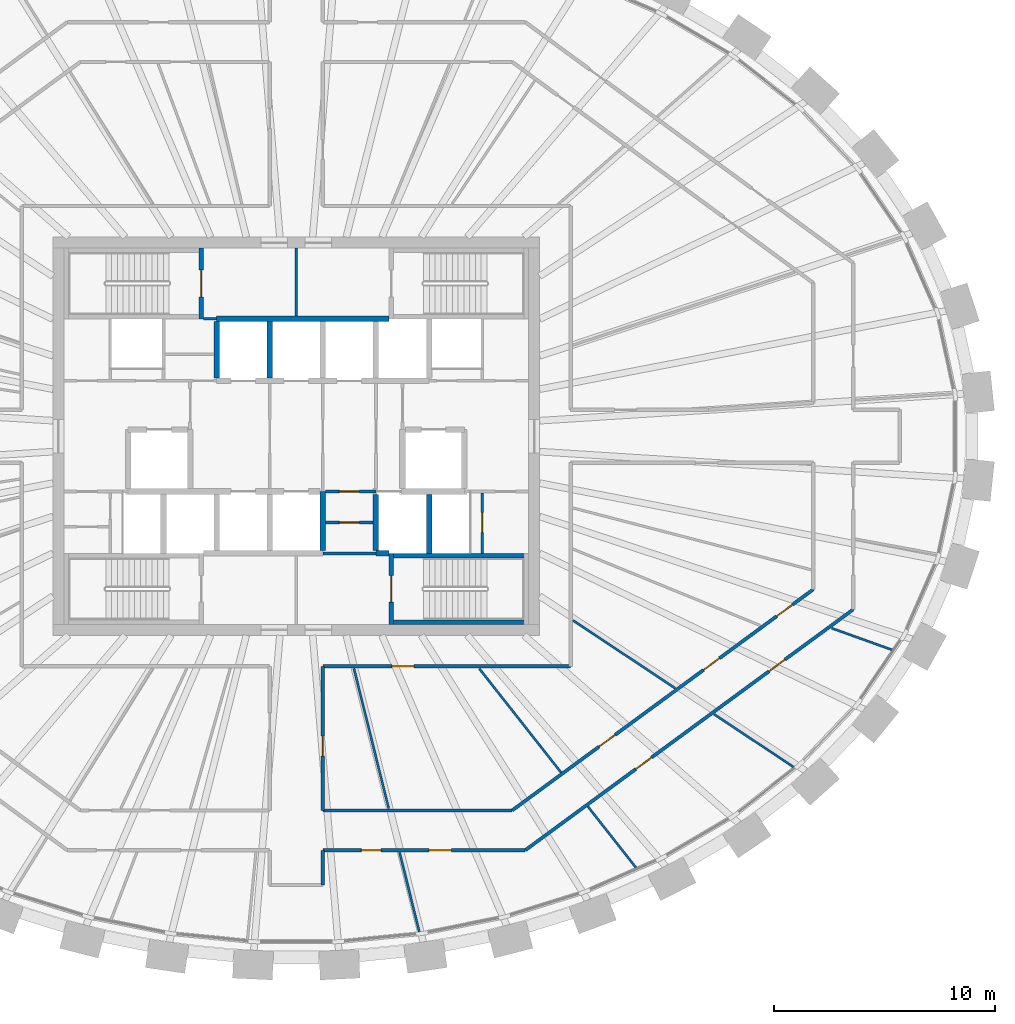
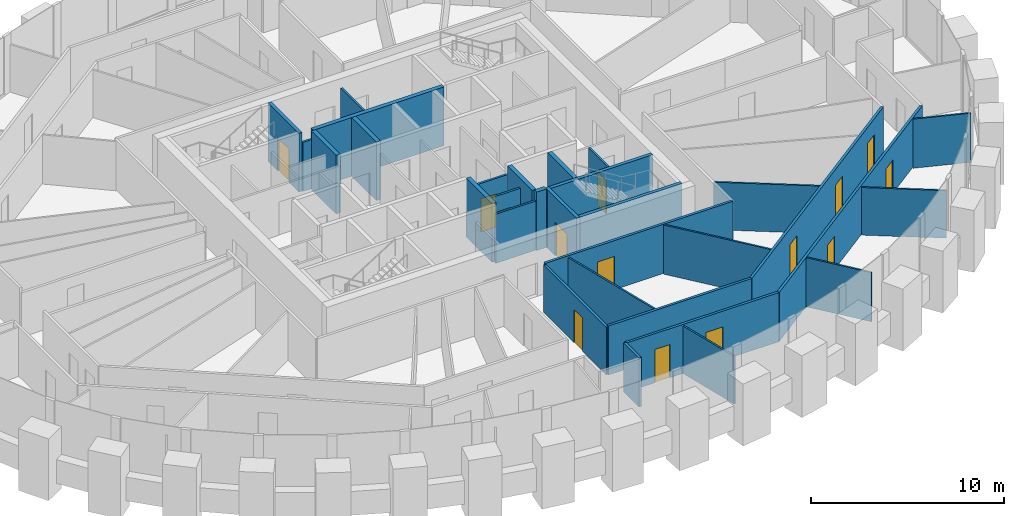
# One storey, part 8 of 12: 31 walls, 14 doors, 14 openings.
"""IFC4 building model written with IfcOpenShell, lengths in metres."""

from ifc_helpers import new_model, si_unit, direction, frame, frame_2d, origin, place, context, subcontext, project, spatial, rectangle, extrude, source, transform, mapped, material, layer, layer_set, type_object, element, fill, save


model = new_model("IFC4")

# Units and contexts
model_context = context("Model", 3, precision=1e-05, world=origin(), true_north=direction((0.0, 1.0)))
body_context = subcontext(model_context, "Body", "Model", "MODEL_VIEW")
ifc_project = project(units=[si_unit("LENGTHUNIT", "METRE"), si_unit("AREAUNIT", "SQUARE_METRE"), si_unit("VOLUMEUNIT", "CUBIC_METRE"), si_unit("PLANEANGLEUNIT", "RADIAN"), si_unit("MASSUNIT", "GRAM", prefix="KILO")], contexts=[model_context])

# Site, building, storey
site_placement = place(None, origin())
site = spatial("IfcSite", under=ifc_project, at=site_placement, CompositionType="ELEMENT")
building_placement = place(site_placement, origin())
building = spatial("IfcBuilding", under=site, at=building_placement, Name="Embergate Tower", CompositionType="ELEMENT")
storey_placement = place(building_placement, frame((0.0, 0.0, 293.5)))
storey = spatial("IfcBuildingStorey", under=building, at=storey_placement, Name="L68", CompositionType="ELEMENT", Elevation=293.5)

# Walls
ifc_material_1 = material(Name="Concrete C50", Category="concrete")
ifc_layer_1 = layer(ifc_material_1, 0.25)
ifc_layer_set_1 = layer_set([ifc_layer_1], Name="Concrete C50")
wall_type_1 = type_object("IfcWallType", Name="Hoistway wall reinforced concrete 250", PredefinedType="SHEAR", material=ifc_layer_set_1)
shared_shape_1 = source(origin(), body_context, "Body", "SweptSolid", [
    extrude(rectangle(XDim=2.675048828125, YDim=0.25, at=frame_2d((1.33740234375, 0.0))), origin(), (0.0, 0.0, 1.0), 3.699951171875),
])
for number, where, z_axis, x_axis, name in (
    (1, (1.199951171875, -5.175048828125, 0.0), (0.0, 0.0, 1.0), (0.0, 1.0, 0.0), "HW-1 wall"),
    (2, (6.0, -5.300048828125, 0.0), (0.0, 0.0, 1.0), (0.0, 1.0, 0.0), "HW-1 wall"),
):
    element("IfcWall", number, at=place(storey_placement, frame(where, z_axis=z_axis, x_axis=x_axis)), inside=storey, type_object=wall_type_1, Name=name, PredefinedType="SHEAR", context=body_context, shape_type="MappedRepresentation", body=[
        mapped(shared_shape_1, transform((0.0, 0.0, 0.0))),
    ])
ifc_layer_2 = layer(ifc_material_1, 0.199951171875)
ifc_layer_set_2 = layer_set([ifc_layer_2], Name="Concrete C50")
wall_type_2 = type_object("IfcWallType", Name="Stair enclosure wall reinforced concrete 250", PredefinedType="SHEAR", material=ifc_layer_set_2)
shared_shape_2 = source(origin(), body_context, "Body", "SweptSolid", [
    extrude(rectangle(XDim=6.300048828125, YDim=0.199951171875, at=frame_2d((3.14990234375, 0.0))), origin(), (0.0, 0.0, 1.0), 3.699951171875),
])
wall_1_placement = place(storey_placement, frame((4.199951171875, -5.39990234375, 0.0), z_axis=(0.0, 0.0, 1.0), x_axis=(1.0, 0.0, 0.0)))
element("IfcWall", 3, at=wall_1_placement, inside=storey, type_object=wall_type_2, Name="SE-1 wall", PredefinedType="SHEAR", context=body_context, shape_type="MappedRepresentation", body=[
    mapped(shared_shape_2, transform((0.0, 0.0, 0.0))),
])

# Wall, opening, door
ifc_material_2 = material(Name="Core partition blockwork 120")
ifc_layer_3 = layer(ifc_material_2, 0.1201171875)
ifc_layer_set_3 = layer_set([ifc_layer_3], Name="Core partition blockwork 120")
wall_type_3 = type_object("IfcWallType", Name="Core partition blockwork 120", PredefinedType="PARTITIONING", material=ifc_layer_set_3)
shared_shape_3 = source(origin(), body_context, "Body", "SweptSolid", [
    extrude(rectangle(XDim=2.739990234375, YDim=0.1201171875, at=frame_2d((1.3701171875, 0.0))), origin(), (0.0, 0.0, 1.0), 3.10009765625),
])
wall_2_placement = place(storey_placement, frame((8.39990234375, -5.300048828125, 0.0), z_axis=(0.0, 0.0, 1.0), x_axis=(0.0, 1.0, 0.0)))
wall_2 = element("IfcWall", 4, at=wall_2_placement, inside=storey, type_object=wall_type_3, Name="IP-3 wall", PredefinedType="PARTITIONING", context=body_context, shape_type="MappedRepresentation", body=[
    mapped(shared_shape_3, transform((0.0, 0.0, 0.0))),
])
shared_shape_4 = source(origin(), body_context, "Body", "SweptSolid", [
    extrude(rectangle(XDim=0.89990234375, YDim=2.10009765625, at=frame_2d((0.449951171875, 1.050048828125))), frame((0.0, 0.070068359375, 0.0), z_axis=(0.0, -1.0, 0.0), x_axis=(1.0, 0.0, 0.0)), (0.0, 0.0, 1.0), 0.14013671875),
])
opening_1_placement = place(wall_2_placement, frame((0.949951171875, 0.0, 0.0)))
opening_1 = element("IfcOpeningElement", 5, at=opening_1_placement, cuts=wall_2, Name="Opening ID-1", PredefinedType="OPENING", context=body_context, shape_type="MappedRepresentation", body=[
    mapped(shared_shape_4, transform((0.0, 0.0, 0.0))),
])
ifc_material_3 = material(Name="Interior door 900")
door_type_1 = type_object("IfcDoorType", Name="Interior door 900", OperationType="SINGLE_SWING_LEFT", PredefinedType="DOOR", material=ifc_material_3)
shared_shape_5 = source(origin(), body_context, "Body", "SweptSolid", [
    extrude(rectangle(XDim=0.89990234375, YDim=2.10009765625, at=frame_2d((0.449951171875, 1.050048828125))), frame((0.0, 0.02490234375, 0.0), z_axis=(0.0, -1.0, 0.0), x_axis=(1.0, 0.0, 0.0)), (0.0, 0.0, 1.0), 0.050048828125),
])
door_1_placement = place(opening_1_placement, origin())
door_1 = element("IfcDoor", 6, at=door_1_placement, inside=storey, type_object=door_type_1, Name="ID-1 door", OperationType="SINGLE_SWING_RIGHT", OverallHeight=2.10009765625, OverallWidth=0.89990234375, PredefinedType="DOOR", context=body_context, shape_type="MappedRepresentation", body=[
    mapped(shared_shape_5, transform((0.0, 0.0, 0.0))),
])
fill(opening_1, door_1)

# Walls
shared_shape_6 = source(origin(), body_context, "Body", "SweptSolid", [
    extrude(rectangle(XDim=2.550048828125, YDim=0.25, at=frame_2d((1.27490234375, 0.0))), origin(), (0.0, 0.0, 1.0), 3.699951171875),
])
for number, where, z_axis, x_axis, name in (
    (7, (-1.199951171875, 2.625, 0.0), (0.0, 0.0, 1.0), (0.0, 1.0, 0.0), "HW-1 wall"),
    (8, (3.60009765625, -2.625, 0.0), (0.0, 0.0, 1.0), (0.0, -1.0, 0.0), "HW-1 wall"),
):
    element("IfcWall", number, at=place(storey_placement, frame(where, z_axis=z_axis, x_axis=x_axis)), inside=storey, type_object=wall_type_1, Name=name, PredefinedType="SHEAR", context=body_context, shape_type="MappedRepresentation", body=[
        mapped(shared_shape_6, transform((0.0, 0.0, 0.0))),
    ])

# Wall, opening, door
shared_shape_7 = source(origin(), body_context, "Body", "SweptSolid", [
    extrude(rectangle(XDim=3.199951171875, YDim=0.199951171875, at=frame_2d((1.60009765625, 0.0))), origin(), (0.0, 0.0, 1.0), 3.699951171875),
])
wall_3_placement = place(storey_placement, frame((-4.300048828125, 5.300048828125, 0.0), z_axis=(0.0, 0.0, 1.0), x_axis=(0.0, 1.0, 0.0)))
wall_3 = element("IfcWall", 9, at=wall_3_placement, inside=storey, type_object=wall_type_2, Name="SE-1 wall", PredefinedType="SHEAR", context=body_context, shape_type="MappedRepresentation", body=[
    mapped(shared_shape_7, transform((0.0, 0.0, 0.0))),
])
shared_shape_8 = source(origin(), body_context, "Body", "SweptSolid", [
    extrude(rectangle(XDim=1.199951171875, YDim=2.10009765625, at=frame_2d((0.60009765625, 1.050048828125))), frame((0.0, 0.10986328125, 0.0), z_axis=(0.0, -1.0, 0.0), x_axis=(1.0, 0.0, 0.0)), (0.0, 0.0, 1.0), 0.219970703125),
])
opening_2_placement = place(wall_3_placement, frame((1.0, 0.0, 0.0)))
opening_2 = element("IfcOpeningElement", 10, at=opening_2_placement, cuts=wall_3, Name="Opening IF-2", PredefinedType="OPENING", context=body_context, shape_type="MappedRepresentation", body=[
    mapped(shared_shape_8, transform((0.0, 0.0, 0.0))),
])
ifc_material_4 = material(Name="Stair enclosure door 1200")
door_type_2 = type_object("IfcDoorType", Name="Stair enclosure door 1200", OperationType="SINGLE_SWING_LEFT", PredefinedType="DOOR", material=ifc_material_4)
shared_shape_9 = source(origin(), body_context, "Body", "SweptSolid", [
    extrude(rectangle(XDim=1.199951171875, YDim=2.10009765625, at=frame_2d((0.60009765625, 1.050048828125))), frame((0.0, 0.02490234375, 0.0), z_axis=(0.0, -1.0, 0.0), x_axis=(1.0, 0.0, 0.0)), (0.0, 0.0, 1.0), 0.050048828125),
])
door_2_placement = place(opening_2_placement, origin())
door_2 = element("IfcDoor", 11, at=door_2_placement, inside=storey, type_object=door_type_2, Name="IF-2 door", OperationType="SINGLE_SWING_LEFT", OverallHeight=2.10009765625, OverallWidth=1.199951171875, PredefinedType="DOOR", context=body_context, shape_type="MappedRepresentation", body=[
    mapped(shared_shape_9, transform((0.0, 0.0, 0.0))),
])
fill(opening_2, door_2)

wall_4_placement = place(storey_placement, frame((4.300048828125, -5.300048828125, 0.0), z_axis=(0.0, 0.0, 1.0), x_axis=(0.0, -1.0, 0.0)))
wall_4 = element("IfcWall", 12, at=wall_4_placement, inside=storey, type_object=wall_type_2, Name="SE-1 wall", PredefinedType="SHEAR", context=body_context, shape_type="MappedRepresentation", body=[
    mapped(shared_shape_7, transform((0.0, 0.0, 0.0))),
])
opening_3_placement = place(wall_4_placement, frame((1.0, 0.0, 0.0)))
opening_3 = element("IfcOpeningElement", 13, at=opening_3_placement, cuts=wall_4, Name="Opening IF-2", PredefinedType="OPENING", context=body_context, shape_type="MappedRepresentation", body=[
    mapped(shared_shape_8, transform((0.0, 0.0, 0.0))),
])
door_3_placement = place(opening_3_placement, origin())
door_3 = element("IfcDoor", 14, at=door_3_placement, inside=storey, type_object=door_type_2, Name="IF-2 door", OperationType="SINGLE_SWING_LEFT", OverallHeight=2.10009765625, OverallWidth=1.199951171875, PredefinedType="DOOR", context=body_context, shape_type="MappedRepresentation", body=[
    mapped(shared_shape_9, transform((0.0, 0.0, 0.0))),
])
fill(opening_3, door_3)

# Walls
shared_shape_10 = source(origin(), body_context, "Body", "SweptSolid", [
    extrude(rectangle(XDim=0.599853515625, YDim=0.25, at=frame_2d((0.2998046875, 0.0))), origin(), (0.0, 0.0, 1.0), 3.699951171875),
])
wall_5_placement = place(storey_placement, frame((3.60009765625, -5.300048828125, 0.0), z_axis=(0.0, 0.0, 1.0), x_axis=(1.0, 0.0, 0.0)))
element("IfcWall", 15, at=wall_5_placement, inside=storey, type_object=wall_type_1, Name="HW-1 wall", PredefinedType="SHEAR", context=body_context, shape_type="MappedRepresentation", body=[
    mapped(shared_shape_10, transform((0.0, 0.0, 0.0))),
])
shared_shape_11 = source(origin(), body_context, "Body", "SweptSolid", [
    extrude(rectangle(XDim=7.800048828125, YDim=0.25, at=frame_2d((3.89990234375, 0.0))), origin(), (0.0, 0.0, 1.0), 3.699951171875),
])
wall_6_placement = place(storey_placement, frame((4.199951171875, 5.300048828125, 0.0), z_axis=(0.0, 0.0, 1.0), x_axis=(-1.0, 0.0, 0.0)))
element("IfcWall", 16, at=wall_6_placement, inside=storey, type_object=wall_type_1, Name="HW-1 wall", PredefinedType="SHEAR", context=body_context, shape_type="MappedRepresentation", body=[
    mapped(shared_shape_11, transform((0.0, 0.0, 0.0))),
])
shared_shape_12 = source(origin(), body_context, "Body", "SweptSolid", [
    extrude(rectangle(XDim=6.298095703125, YDim=0.199951171875, at=frame_2d((3.14892578125, 0.0))), origin(), (0.0, 0.0, 1.0), 3.699951171875),
])
wall_7_placement = place(storey_placement, frame((4.201904296875, -8.39990234375, 0.0), z_axis=(0.0, 0.0, 1.0), x_axis=(1.0, 0.0, 0.0)))
element("IfcWall", 17, at=wall_7_placement, inside=storey, type_object=wall_type_2, Name="SE-1 wall", PredefinedType="SHEAR", context=body_context, shape_type="MappedRepresentation", body=[
    mapped(shared_shape_12, transform((0.0, 0.0, 0.0))),
])

# Wall, opening, door
ifc_material_5 = material(Name="Corridor wall dry-lined 150")
ifc_layer_4 = layer(ifc_material_5, 0.14990234375)
ifc_layer_set_4 = layer_set([ifc_layer_4], Name="Corridor wall dry-lined 150")
wall_type_4 = type_object("IfcWallType", Name="Corridor wall dry-lined 150", PredefinedType="PARTITIONING", material=ifc_layer_set_4)
shared_shape_13 = source(origin(), body_context, "Body", "SweptSolid", [
    extrude(rectangle(XDim=11.199951171875, YDim=0.14990234375, at=frame_2d((5.60009765625, 0.0))), origin(), (0.0, 0.0, 1.0), 3.10009765625),
])
wall_8_placement = place(storey_placement, frame((12.39990234375, -10.39990234375, 0.0), z_axis=(0.0, 0.0, 1.0), x_axis=(-1.0, 0.0, 0.0)))
wall_8 = element("IfcWall", 18, at=wall_8_placement, inside=storey, type_object=wall_type_4, Name="IP-2 wall", PredefinedType="PARTITIONING", context=body_context, shape_type="MappedRepresentation", body=[
    mapped(shared_shape_13, transform((0.0, 0.0, 0.0))),
])
shared_shape_14 = source(origin(), body_context, "Body", "SweptSolid", [
    extrude(rectangle(XDim=1.0, YDim=2.10009765625, at=frame_2d((0.5, 1.050048828125))), frame((0.0, 0.0849609375, 0.0), z_axis=(0.0, -1.0, 0.0), x_axis=(1.0, 0.0, 0.0)), (0.0, 0.0, 1.0), 0.169921875),
])
opening_4_placement = place(wall_8_placement, frame((7.075927734375, 0.0, 0.0)))
opening_4 = element("IfcOpeningElement", 19, at=opening_4_placement, cuts=wall_8, Name="Opening ID-2", PredefinedType="OPENING", context=body_context, shape_type="MappedRepresentation", body=[
    mapped(shared_shape_14, transform((0.0, 0.0, 0.0))),
])
ifc_material_6 = material(Name="Interior door 1000")
door_type_3 = type_object("IfcDoorType", Name="Interior door 1000", OperationType="SINGLE_SWING_LEFT", PredefinedType="DOOR", material=ifc_material_6)
shared_shape_15 = source(origin(), body_context, "Body", "SweptSolid", [
    extrude(rectangle(XDim=1.0, YDim=2.10009765625, at=frame_2d((0.5, 1.050048828125))), frame((0.0, 0.02490234375, 0.0), z_axis=(0.0, -1.0, 0.0), x_axis=(1.0, 0.0, 0.0)), (0.0, 0.0, 1.0), 0.050048828125),
])
door_4_placement = place(opening_4_placement, origin())
door_4 = element("IfcDoor", 20, at=door_4_placement, inside=storey, type_object=door_type_3, Name="ID-2 door", OperationType="SINGLE_SWING_LEFT", OverallHeight=2.10009765625, OverallWidth=1.0, PredefinedType="DOOR", context=body_context, shape_type="MappedRepresentation", body=[
    mapped(shared_shape_15, transform((0.0, 0.0, 0.0))),
])
fill(opening_4, door_4)

# Walls
shared_shape_16 = source(origin(), body_context, "Body", "SweptSolid", [
    extrude(rectangle(XDim=2.400146484375, YDim=0.1201171875, at=frame_2d((1.2001953125, 0.0))), origin(), (0.0, 0.0, 1.0), 3.10009765625),
])
wall_9_placement = place(storey_placement, frame((3.60009765625, -5.300048828125, 0.0), z_axis=(0.0, 0.0, 1.0), x_axis=(-1.0, 0.0, 0.0)))
element("IfcWall", 21, at=wall_9_placement, inside=storey, type_object=wall_type_3, Name="IP-3 wall", PredefinedType="PARTITIONING", context=body_context, shape_type="MappedRepresentation", body=[
    mapped(shared_shape_16, transform((0.0, 0.0, 0.0))),
])
shared_shape_17 = source(origin(), body_context, "Body", "SweptSolid", [
    extrude(rectangle(XDim=3.074951171875, YDim=0.1201171875, at=frame_2d((1.53759765625, 0.0))), origin(), (0.0, 0.0, 1.0), 3.10009765625),
])
wall_10_placement = place(storey_placement, frame((0.0, 5.425048828125, 0.0), z_axis=(0.0, 0.0, 1.0), x_axis=(0.0, 1.0, 0.0)))
element("IfcWall", 22, at=wall_10_placement, inside=storey, type_object=wall_type_3, Name="IP-3 wall", PredefinedType="PARTITIONING", context=body_context, shape_type="MappedRepresentation", body=[
    mapped(shared_shape_17, transform((0.0, 0.0, 0.0))),
])

# Wall, opening, door
shared_shape_18 = source(origin(), body_context, "Body", "SweptSolid", [
    extrude(rectangle(XDim=2.150146484375, YDim=0.1201171875, at=frame_2d((1.0751953125, 0.0))), origin(), (0.0, 0.0, 1.0), 3.10009765625),
])
wall_11_placement = place(storey_placement, frame((3.47509765625, -3.89990234375, 0.0), z_axis=(0.0, 0.0, 1.0), x_axis=(-1.0, 0.0, 0.0)))
wall_11 = element("IfcWall", 23, at=wall_11_placement, inside=storey, type_object=wall_type_3, Name="IP-3 wall", PredefinedType="PARTITIONING", context=body_context, shape_type="MappedRepresentation", body=[
    mapped(shared_shape_18, transform((0.0, 0.0, 0.0))),
])
opening_5_placement = place(wall_11_placement, frame((0.625, 0.0, 0.0)))
opening_5 = element("IfcOpeningElement", 24, at=opening_5_placement, cuts=wall_11, Name="Opening ID-1", PredefinedType="OPENING", context=body_context, shape_type="MappedRepresentation", body=[
    mapped(shared_shape_4, transform((0.0, 0.0, 0.0))),
])
door_5_placement = place(opening_5_placement, origin())
door_5 = element("IfcDoor", 25, at=door_5_placement, inside=storey, type_object=door_type_1, Name="ID-1 door", OperationType="SINGLE_SWING_RIGHT", OverallHeight=2.10009765625, OverallWidth=0.89990234375, PredefinedType="DOOR", context=body_context, shape_type="MappedRepresentation", body=[
    mapped(shared_shape_5, transform((0.0, 0.0, 0.0))),
])
fill(opening_5, door_5)

# Walls
shared_shape_19 = source(origin(), body_context, "Body", "SweptSolid", [
    extrude(rectangle(XDim=2.548095703125, YDim=0.25, at=frame_2d((1.27392578125, 0.0))), origin(), (0.0, 0.0, 1.0), 3.699951171875),
])
wall_12_placement = place(storey_placement, frame((-3.60009765625, 5.173095703125, 0.0), z_axis=(0.0, 0.0, 1.0), x_axis=(0.0, -1.0, 0.0)))
element("IfcWall", 26, at=wall_12_placement, inside=storey, type_object=wall_type_1, Name="HW-1 wall", PredefinedType="SHEAR", context=body_context, shape_type="MappedRepresentation", body=[
    mapped(shared_shape_19, transform((0.0, 0.0, 0.0))),
])
shared_shape_20 = source(origin(), body_context, "Body", "SweptSolid", [
    extrude(rectangle(XDim=0.595947265625, YDim=0.1201171875, at=frame_2d((0.2978515625, 0.0))), origin(), (0.0, 0.0, 1.0), 3.10009765625),
])
wall_13_placement = place(storey_placement, frame((-4.197998046875, 5.300048828125, 0.0), z_axis=(0.0, 0.0, 1.0), x_axis=(1.0, 0.0, 0.0)))
element("IfcWall", 27, at=wall_13_placement, inside=storey, type_object=wall_type_3, Name="IP-3 wall", PredefinedType="PARTITIONING", context=body_context, shape_type="MappedRepresentation", body=[
    mapped(shared_shape_20, transform((0.0, 0.0, 0.0))),
])

# Wall, opening, door
shared_shape_21 = source(origin(), body_context, "Body", "SweptSolid", [
    extrude(rectangle(XDim=2.275146484375, YDim=0.1201171875, at=frame_2d((1.1376953125, 0.0))), origin(), (0.0, 0.0, 1.0), 3.10009765625),
])
wall_14_placement = place(storey_placement, frame((1.324951171875, -2.5, 0.0), z_axis=(0.0, 0.0, 1.0), x_axis=(1.0, 0.0, 0.0)))
wall_14 = element("IfcWall", 28, at=wall_14_placement, inside=storey, type_object=wall_type_3, Name="IP-3 wall", PredefinedType="PARTITIONING", context=body_context, shape_type="MappedRepresentation", body=[
    mapped(shared_shape_21, transform((0.0, 0.0, 0.0))),
])
opening_6_placement = place(wall_14_placement, frame((0.625, 0.0, 0.0)))
opening_6 = element("IfcOpeningElement", 29, at=opening_6_placement, cuts=wall_14, Name="Opening ID-1", PredefinedType="OPENING", context=body_context, shape_type="MappedRepresentation", body=[
    mapped(shared_shape_4, transform((0.0, 0.0, 0.0))),
])
door_6_placement = place(opening_6_placement, origin())
door_6 = element("IfcDoor", 30, at=door_6_placement, inside=storey, type_object=door_type_1, Name="ID-1 door", OperationType="SINGLE_SWING_LEFT", OverallHeight=2.10009765625, OverallWidth=0.89990234375, PredefinedType="DOOR", context=body_context, shape_type="MappedRepresentation", body=[
    mapped(shared_shape_5, transform((0.0, 0.0, 0.0))),
])
fill(opening_6, door_6)

# Wall, openings, doors
shared_shape_22 = source(origin(), body_context, "Body", "SweptSolid", [
    extrude(rectangle(XDim=18.38427734375, YDim=0.14990234375, at=frame_2d((9.192138671875, 0.0))), origin(), (0.0, 0.0, 1.0), 3.10009765625),
])
wall_15_placement = place(storey_placement, frame((10.345947265625, -18.712890625, 0.0), z_axis=(0.0, 0.0, 1.0), x_axis=(0.80612330372, 0.591747597545, 0.0)))
wall_15 = element("IfcWall", 31, at=wall_15_placement, inside=storey, type_object=wall_type_4, Name="IP-2 wall", PredefinedType="PARTITIONING", context=body_context, shape_type="MappedRepresentation", body=[
    mapped(shared_shape_22, transform((0.0, 0.0, 0.0))),
])
shared_shape_23 = source(origin(), body_context, "Body", "SweptSolid", [
    extrude(rectangle(XDim=0.89990234375, YDim=2.10009765625, at=frame_2d((0.449951171875, 1.050048828125))), frame((0.0, 0.0849609375, 0.0), z_axis=(0.0, -1.0, 0.0), x_axis=(1.0, 0.0, 0.0)), (0.0, 0.0, 1.0), 0.169921875),
])
opening_7_placement = place(wall_15_placement, frame((6.1845703125, 0.0, 0.0)))
opening_7 = element("IfcOpeningElement", 32, at=opening_7_placement, cuts=wall_15, Name="Opening IF-1c", PredefinedType="OPENING", context=body_context, shape_type="MappedRepresentation", body=[
    mapped(shared_shape_23, transform((0.0, 0.0, 0.0))),
])
opening_8_placement = place(wall_15_placement, frame((13.662353515625, 0.0, 0.0)))
opening_8 = element("IfcOpeningElement", 33, at=opening_8_placement, cuts=wall_15, Name="Opening IF-1c", PredefinedType="OPENING", context=body_context, shape_type="MappedRepresentation", body=[
    mapped(shared_shape_23, transform((0.0, 0.0, 0.0))),
])
ifc_material_7 = material(Name="Escape fire door 900")
door_type_4 = type_object("IfcDoorType", Name="Escape fire door 900", OperationType="SINGLE_SWING_LEFT", PredefinedType="DOOR", material=ifc_material_7)
door_7_placement = place(opening_7_placement, origin())
door_7 = element("IfcDoor", 34, at=door_7_placement, inside=storey, type_object=door_type_4, Name="IF-1 door", OperationType="SINGLE_SWING_RIGHT", OverallHeight=2.10009765625, OverallWidth=0.89990234375, PredefinedType="DOOR", context=body_context, shape_type="MappedRepresentation", body=[
    mapped(shared_shape_5, transform((0.0, 0.0, 0.0))),
])
fill(opening_7, door_7)
door_8_placement = place(opening_8_placement, origin())
door_8 = element("IfcDoor", 35, at=door_8_placement, inside=storey, type_object=door_type_4, Name="IF-1 door", OperationType="SINGLE_SWING_LEFT", OverallHeight=2.10009765625, OverallWidth=0.89990234375, PredefinedType="DOOR", context=body_context, shape_type="MappedRepresentation", body=[
    mapped(shared_shape_5, transform((0.0, 0.0, 0.0))),
])
fill(opening_8, door_8)

shared_shape_24 = source(origin(), body_context, "Body", "SweptSolid", [
    extrude(rectangle(XDim=16.8828125, YDim=0.14990234375, at=frame_2d((8.44140625, 0.0))), origin(), (0.0, 0.0, 1.0), 3.10009765625),
])
wall_16_placement = place(storey_placement, frame((9.756103515625, -16.9130859375, 0.0), z_axis=(0.0, 0.0, 1.0), x_axis=(0.806138724475, 0.591726589653, 0.0)))
wall_16 = element("IfcWall", 36, at=wall_16_placement, inside=storey, type_object=wall_type_4, Name="IP-2 wall", PredefinedType="PARTITIONING", context=body_context, shape_type="MappedRepresentation", body=[
    mapped(shared_shape_24, transform((0.0, 0.0, 0.0))),
])
opening_9_placement = place(wall_16_placement, frame((4.875244140625, 0.0, 0.0)))
opening_9 = element("IfcOpeningElement", 37, at=opening_9_placement, cuts=wall_16, Name="Opening IF-1c", PredefinedType="OPENING", context=body_context, shape_type="MappedRepresentation", body=[
    mapped(shared_shape_23, transform((0.0, 0.0, 0.0))),
])
opening_10_placement = place(wall_16_placement, frame((10.726806640625, 0.0, 0.0)))
opening_10 = element("IfcOpeningElement", 38, at=opening_10_placement, cuts=wall_16, Name="Opening IF-1c", PredefinedType="OPENING", context=body_context, shape_type="MappedRepresentation", body=[
    mapped(shared_shape_23, transform((0.0, 0.0, 0.0))),
])
opening_11_placement = place(wall_16_placement, frame((14.823974609375, 0.0, 0.0)))
opening_11 = element("IfcOpeningElement", 39, at=opening_11_placement, cuts=wall_16, Name="Opening IF-1c", PredefinedType="OPENING", context=body_context, shape_type="MappedRepresentation", body=[
    mapped(shared_shape_23, transform((0.0, 0.0, 0.0))),
])
door_9_placement = place(opening_9_placement, origin())
door_9 = element("IfcDoor", 40, at=door_9_placement, inside=storey, type_object=door_type_4, Name="IF-1 door", OperationType="SINGLE_SWING_LEFT", OverallHeight=2.10009765625, OverallWidth=0.89990234375, PredefinedType="DOOR", context=body_context, shape_type="MappedRepresentation", body=[
    mapped(shared_shape_5, transform((0.0, 0.0, 0.0))),
])
fill(opening_9, door_9)
door_10_placement = place(opening_10_placement, origin())
door_10 = element("IfcDoor", 41, at=door_10_placement, inside=storey, type_object=door_type_4, Name="IF-1 door", OperationType="SINGLE_SWING_RIGHT", OverallHeight=2.10009765625, OverallWidth=0.89990234375, PredefinedType="DOOR", context=body_context, shape_type="MappedRepresentation", body=[
    mapped(shared_shape_5, transform((0.0, 0.0, 0.0))),
])
fill(opening_10, door_10)
door_11_placement = place(opening_11_placement, origin())
door_11 = element("IfcDoor", 42, at=door_11_placement, inside=storey, type_object=door_type_4, Name="IF-1 door", OperationType="SINGLE_SWING_RIGHT", OverallHeight=2.10009765625, OverallWidth=0.89990234375, PredefinedType="DOOR", context=body_context, shape_type="MappedRepresentation", body=[
    mapped(shared_shape_5, transform((0.0, 0.0, 0.0))),
])
fill(opening_11, door_11)

shared_shape_25 = source(origin(), body_context, "Body", "SweptSolid", [
    extrude(rectangle(XDim=9.14599609375, YDim=0.14990234375, at=frame_2d((4.572998046875, 0.0))), origin(), (0.0, 0.0, 1.0), 3.10009765625),
])
wall_17_placement = place(storey_placement, frame((10.345947265625, -18.712890625, 0.0), z_axis=(0.0, 0.0, 1.0), x_axis=(-1.0, 0.0, 0.0)))
wall_17 = element("IfcWall", 43, at=wall_17_placement, inside=storey, type_object=wall_type_4, Name="IP-2 wall", PredefinedType="PARTITIONING", context=body_context, shape_type="MappedRepresentation", body=[
    mapped(shared_shape_25, transform((0.0, 0.0, 0.0))),
])
opening_12_placement = place(wall_17_placement, frame((6.506103515625, 0.0, 0.0)))
opening_12 = element("IfcOpeningElement", 44, at=opening_12_placement, cuts=wall_17, Name="Opening IF-1c", PredefinedType="OPENING", context=body_context, shape_type="MappedRepresentation", body=[
    mapped(shared_shape_23, transform((0.0, 0.0, 0.0))),
])
opening_13_placement = place(wall_17_placement, frame((3.337158203125, 0.0, 0.0)))
opening_13 = element("IfcOpeningElement", 45, at=opening_13_placement, cuts=wall_17, Name="Opening ID-2", PredefinedType="OPENING", context=body_context, shape_type="MappedRepresentation", body=[
    mapped(shared_shape_14, transform((0.0, 0.0, 0.0))),
])
door_12_placement = place(opening_12_placement, origin())
door_12 = element("IfcDoor", 46, at=door_12_placement, inside=storey, type_object=door_type_4, Name="IF-1 door", OperationType="SINGLE_SWING_RIGHT", OverallHeight=2.10009765625, OverallWidth=0.89990234375, PredefinedType="DOOR", context=body_context, shape_type="MappedRepresentation", body=[
    mapped(shared_shape_5, transform((0.0, 0.0, 0.0))),
])
fill(opening_12, door_12)
door_13_placement = place(opening_13_placement, origin())
door_13 = element("IfcDoor", 47, at=door_13_placement, inside=storey, type_object=door_type_3, Name="ID-2 door", OperationType="SINGLE_SWING_RIGHT", OverallHeight=2.10009765625, OverallWidth=1.0, PredefinedType="DOOR", context=body_context, shape_type="MappedRepresentation", body=[
    mapped(shared_shape_15, transform((0.0, 0.0, 0.0))),
])
fill(opening_13, door_13)

# Walls
shared_shape_26 = source(origin(), body_context, "Body", "SweptSolid", [
    extrude(rectangle(XDim=1.568115234375, YDim=0.14990234375, at=frame_2d((0.7841796875, 0.0))), origin(), (0.0, 0.0, 1.0), 3.10009765625),
])
wall_18_placement = place(storey_placement, frame((1.199951171875, -18.712890625, 0.0), z_axis=(0.0, 0.0, 1.0), x_axis=(0.0, -1.0, 0.0)))
element("IfcWall", 48, at=wall_18_placement, inside=storey, type_object=wall_type_4, Name="IP-2 wall", PredefinedType="PARTITIONING", context=body_context, shape_type="MappedRepresentation", body=[
    mapped(shared_shape_26, transform((0.0, 0.0, 0.0))),
])
shared_shape_27 = source(origin(), body_context, "Body", "SweptSolid", [
    extrude(rectangle(XDim=8.55615234375, YDim=0.14990234375, at=frame_2d((4.278076171875, 0.0))), origin(), (0.0, 0.0, 1.0), 3.10009765625),
])
wall_19_placement = place(storey_placement, frame((1.199951171875, -16.9130859375, 0.0), z_axis=(0.0, 0.0, 1.0), x_axis=(1.0, 0.0, 0.0)))
element("IfcWall", 49, at=wall_19_placement, inside=storey, type_object=wall_type_4, Name="IP-2 wall", PredefinedType="PARTITIONING", context=body_context, shape_type="MappedRepresentation", body=[
    mapped(shared_shape_27, transform((0.0, 0.0, 0.0))),
])

# Wall, opening, door
shared_shape_28 = source(origin(), body_context, "Body", "SweptSolid", [
    extrude(rectangle(XDim=6.51318359375, YDim=0.14990234375, at=frame_2d((3.256591796875, 0.0))), origin(), (0.0, 0.0, 1.0), 3.0),
])
wall_20_placement = place(storey_placement, frame((1.199951171875, -10.39990234375, 0.0), z_axis=(0.0, 0.0, 1.0), x_axis=(0.0, -1.0, 0.0)))
wall_20 = element("IfcWall", 50, at=wall_20_placement, inside=storey, type_object=wall_type_4, Name="IP-2 wall", PredefinedType="PARTITIONING", context=body_context, shape_type="MappedRepresentation", body=[
    mapped(shared_shape_28, transform((0.0, 0.0, 0.0))),
])
opening_14_placement = place(wall_20_placement, frame((3.157958984375, 0.0, 0.0)))
opening_14 = element("IfcOpeningElement", 51, at=opening_14_placement, cuts=wall_20, Name="Opening IF-1c", PredefinedType="OPENING", context=body_context, shape_type="MappedRepresentation", body=[
    mapped(shared_shape_23, transform((0.0, 0.0, 0.0))),
])
door_14_placement = place(opening_14_placement, origin())
door_14 = element("IfcDoor", 52, at=door_14_placement, inside=storey, type_object=door_type_4, Name="IF-1 door", OperationType="SINGLE_SWING_LEFT", OverallHeight=2.10009765625, OverallWidth=0.89990234375, PredefinedType="DOOR", context=body_context, shape_type="MappedRepresentation", body=[
    mapped(shared_shape_5, transform((0.0, 0.0, 0.0))),
])
fill(opening_14, door_14)

# Walls
ifc_material_8 = material(Name="Partition dry-lined 100")
ifc_layer_5 = layer(ifc_material_8, 0.10009765625)
ifc_layer_set_5 = layer_set([ifc_layer_5], Name="Partition dry-lined 100")
wall_type_5 = type_object("IfcWallType", Name="Partition dry-lined 100", PredefinedType="PARTITIONING", material=ifc_layer_set_5)
shared_shape_29 = source(origin(), body_context, "Body", "SweptSolid", [
    extrude(rectangle(XDim=3.78759765625, YDim=0.10009765625, at=frame_2d((1.893798828125, 0.0))), origin(), (0.0, 0.0, 1.0), 3.0),
])
wall_21_placement = place(storey_placement, frame((4.6669921875, -18.800048828125, 0.0), z_axis=(0.0, 0.0, 1.0), x_axis=(0.240821377337, -0.970569453577, 0.0)))
element("IfcWall", 53, at=wall_21_placement, inside=storey, type_object=wall_type_5, Name="IP-1 wall", PredefinedType="PARTITIONING", context=body_context, shape_type="MappedRepresentation", body=[
    mapped(shared_shape_29, transform((0.0, 0.0, 0.0))),
])
shared_shape_30 = source(origin(), body_context, "Body", "SweptSolid", [
    extrude(rectangle(XDim=6.53125, YDim=0.10009765625, at=frame_2d((3.265625, 0.0))), origin(), (0.0, 0.0, 1.0), 3.0),
])
wall_22_placement = place(storey_placement, frame((2.60302734375, -10.487060546875, 0.0), z_axis=(0.0, 0.0, 1.0), x_axis=(0.240987354202, -0.970528255701, 0.0)))
element("IfcWall", 54, at=wall_22_placement, inside=storey, type_object=wall_type_5, Name="IP-1 wall", PredefinedType="PARTITIONING", context=body_context, shape_type="MappedRepresentation", body=[
    mapped(shared_shape_30, transform((0.0, 0.0, 0.0))),
])
shared_shape_31 = source(origin(), body_context, "Body", "SweptSolid", [
    extrude(rectangle(XDim=3.638916015625, YDim=0.10009765625, at=frame_2d((1.8193359375, 0.0))), origin(), (0.0, 0.0, 1.0), 3.10009765625),
])
wall_23_placement = place(storey_placement, frame((13.173095703125, -16.73095703125, 0.0), z_axis=(0.0, 0.0, 1.0), x_axis=(0.618588689129, -0.785714982472, 0.0)))
element("IfcWall", 55, at=wall_23_placement, inside=storey, type_object=wall_type_5, Name="IP-1 wall", PredefinedType="PARTITIONING", context=body_context, shape_type="MappedRepresentation", body=[
    mapped(shared_shape_31, transform((0.0, 0.0, 0.0))),
])
shared_shape_32 = source(origin(), body_context, "Body", "SweptSolid", [
    extrude(rectangle(XDim=4.396728515625, YDim=0.10009765625, at=frame_2d((2.1982421875, 0.0))), origin(), (0.0, 0.0, 1.0), 3.0),
])
wall_24_placement = place(storey_placement, frame((18.8798828125, -12.56298828125, 0.0), z_axis=(0.0, 0.0, 1.0), x_axis=(0.832477186839, -0.554059322991, 0.0)))
element("IfcWall", 56, at=wall_24_placement, inside=storey, type_object=wall_type_5, Name="IP-1 wall", PredefinedType="PARTITIONING", context=body_context, shape_type="MappedRepresentation", body=[
    mapped(shared_shape_32, transform((0.0, 0.0, 0.0))),
])
shared_shape_33 = source(origin(), body_context, "Body", "SweptSolid", [
    extrude(rectangle(XDim=5.9716796875, YDim=0.10009765625, at=frame_2d((2.98583984375, 0.0))), origin(), (0.0, 0.0, 1.0), 3.10009765625),
])
wall_25_placement = place(storey_placement, frame((8.27197265625, -10.506103515625, 0.0), z_axis=(0.0, 0.0, 1.0), x_axis=(0.618608475676, -0.785699404239, 0.0)))
element("IfcWall", 57, at=wall_25_placement, inside=storey, type_object=wall_type_5, Name="IP-1 wall", PredefinedType="PARTITIONING", context=body_context, shape_type="MappedRepresentation", body=[
    mapped(shared_shape_33, transform((0.0, 0.0, 0.0))),
])
shared_shape_34 = source(origin(), body_context, "Body", "SweptSolid", [
    extrude(rectangle(XDim=5.547119140625, YDim=0.10009765625, at=frame_2d((2.7734375, 0.0))), origin(), (0.0, 0.0, 1.0), 3.0),
])
wall_26_placement = place(storey_placement, frame((12.5029296875, -8.320068359375, 0.0), z_axis=(0.0, 0.0, 1.0), x_axis=(0.832530728158, -0.553978868435, 0.0)))
element("IfcWall", 58, at=wall_26_placement, inside=storey, type_object=wall_type_5, Name="IP-1 wall", PredefinedType="PARTITIONING", context=body_context, shape_type="MappedRepresentation", body=[
    mapped(shared_shape_34, transform((0.0, 0.0, 0.0))),
])
shared_shape_35 = source(origin(), body_context, "Body", "SweptSolid", [
    extrude(rectangle(XDim=3.0234375, YDim=0.10009765625, at=frame_2d((1.51171875, 0.0))), origin(), (0.0, 0.0, 1.0), 3.10009765625),
])
wall_27_placement = place(storey_placement, frame((24.19189453125, -8.677001953125, 0.0), z_axis=(0.0, 0.0, 1.0), x_axis=(0.941372310645, -0.337369489953, 0.0)))
element("IfcWall", 59, at=wall_27_placement, inside=storey, type_object=wall_type_5, Name="IP-1 wall", PredefinedType="PARTITIONING", context=body_context, shape_type="MappedRepresentation", body=[
    mapped(shared_shape_35, transform((0.0, 0.0, 0.0))),
])

save(model, "model.ifc")
